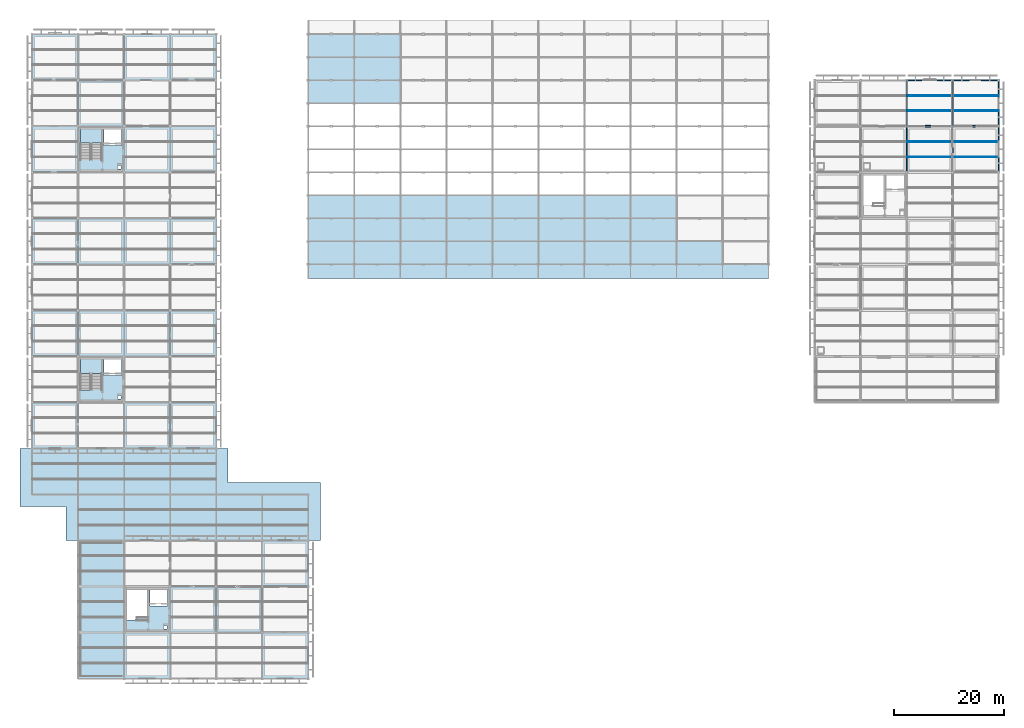
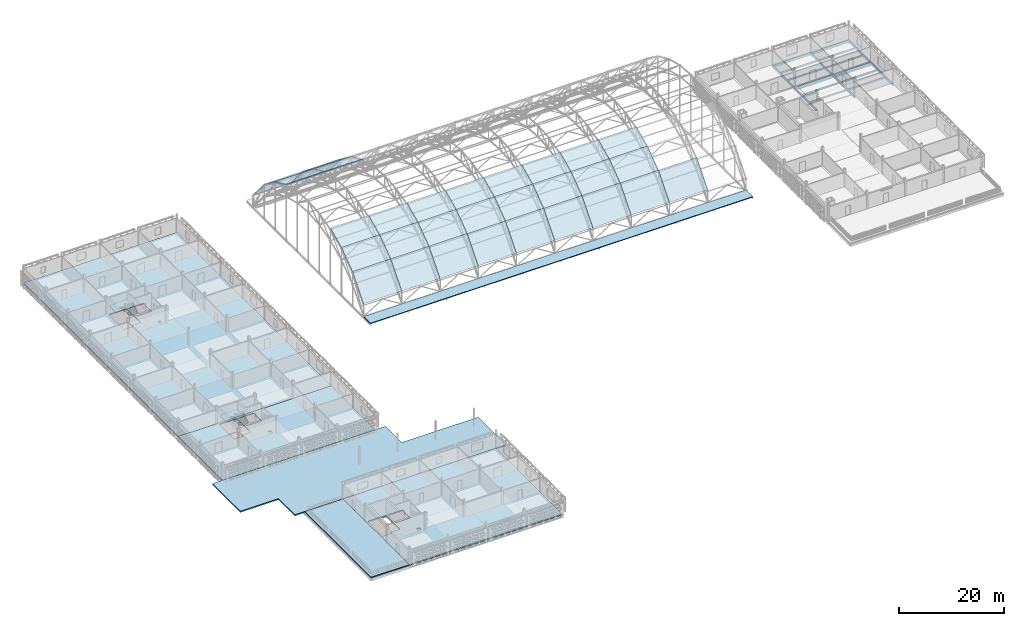
# One storey, part 64 of 103: 39 slabs, 18 beams, 2 elements without a shape of their own.
"""IFC4 building model written with IfcOpenShell, lengths in metres."""

from ifc_helpers import new_model, si_unit, direction, frame, origin, origin_2d, place, context, subcontext, project, spatial, polyline, rectangle, outline, extrude, material, layer, layer_set, material_profile, profile_set, type_object, element, aggregate, save


model = new_model("IFC4")

# Units and contexts
model_context = context("Model", 3, precision=1e-05, world=origin(), true_north=direction((0.0, 1.0)))
body_context = subcontext(model_context, "Body", "Model", "MODEL_VIEW")
ifc_project = project(units=[si_unit("LENGTHUNIT", "METRE"), si_unit("AREAUNIT", "SQUARE_METRE"), si_unit("VOLUMEUNIT", "CUBIC_METRE"), si_unit("PLANEANGLEUNIT", "RADIAN"), si_unit("MASSUNIT", "GRAM", prefix="KILO")], contexts=[model_context])

# Site, building, storey
site_placement = place(None, origin())
site = spatial("IfcSite", under=ifc_project, at=site_placement, CompositionType="ELEMENT")
building_placement = place(site_placement, origin())
building = spatial("IfcBuilding", under=site, at=building_placement, Name="Varnapada Polytechnic", CompositionType="ELEMENT")
storey_placement = place(building_placement, frame((0.0, 0.0, 18.0)))
storey = spatial("IfcBuildingStorey", under=building, at=storey_placement, Name="L04", CompositionType="ELEMENT", Elevation=18.0)

# Beams
ifc_material_1 = material(Name="Glulam GL32h", Category="wood")
ifc_material_profile_1 = material_profile(ifc_material_1, rectangle(XDim=0.340087890625, YDim=0.760009765625, at=origin_2d()), Name="GL 340x760")
ifc_profile_set_1 = profile_set([ifc_material_profile_1], Name="Glulam GL32h")
beam_type_1 = type_object("IfcBeamType", Name="Archive stack glulam girder GG-07 (GL 340x760)", PredefinedType="BEAM", material=ifc_profile_set_1)
for number, where, z_axis, x_axis, name in (
    (1, (159.60009765625, 109.199951171875, -0.60009765625), (1.0, 0.0, 0.0), (0.0, 1.0, 0.0), "L04 beam X 20-21 at Y14"),
    (2, (168.0, 109.199951171875, -0.60009765625), (1.0, 0.0, 0.0), (0.0, 1.0, 0.0), "L04 beam X 21-22 at Y14"),
):
    element("IfcBeam", number, at=place(storey_placement, frame(where, z_axis=z_axis, x_axis=x_axis)), inside=storey, type_object=beam_type_1, Name=name, PredefinedType="BEAM", context=body_context, shape_type="SweptSolid", body=[
        extrude(rectangle(XDim=0.340087890625, YDim=0.760009765625, at=origin_2d()), origin(), (0.0, 0.0, 1.0), 8.39990234375),
    ])
ifc_material_profile_2 = material_profile(ifc_material_1, rectangle(XDim=0.239990234375, YDim=0.56005859375, at=origin_2d()), Name="GL 240x560")
ifc_profile_set_2 = profile_set([ifc_material_profile_2], Name="Glulam GL32h")
beam_type_2 = type_object("IfcBeamType", Name="Perimeter glulam spandrel beam SP-02 (GL 240x560)", PredefinedType="SPANDREL", material=ifc_profile_set_2)
for number, where, z_axis, x_axis, name in (
    (3, (159.60009765625, 117.60009765625, -0.5), (1.0, 0.0, 0.0), (0.0, 1.0, 0.0), "L04 beam X 20-21 at Y15"),
    (4, (168.0, 117.60009765625, -0.5), (1.0, 0.0, 0.0), (0.0, 1.0, 0.0), "L04 beam X 21-22 at Y15"),
    (5, (176.39990234375, 100.800048828125, -0.5), (0.0, 1.0, 0.0), (-1.0, 0.0, 0.0), "L04 beam Y 13-14 at X22"),
):
    element("IfcBeam", number, at=place(storey_placement, frame(where, z_axis=z_axis, x_axis=x_axis)), inside=storey, type_object=beam_type_2, Name=name, PredefinedType="SPANDREL", context=body_context, shape_type="SweptSolid", body=[
        extrude(rectangle(XDim=0.239990234375, YDim=0.56005859375, at=origin_2d()), origin(), (0.0, 0.0, 1.0), 8.39990234375),
    ])
beam_1_placement = place(storey_placement, frame((176.39990234375, 109.199951171875, -0.5), z_axis=(0.0, 1.0, 0.0), x_axis=(-1.0, 0.0, 0.0)))
element("IfcBeam", 6, at=beam_1_placement, inside=storey, type_object=beam_type_2, Name="L04 beam Y 14-15 at X22", PredefinedType="SPANDREL", context=body_context, shape_type="SweptSolid", body=[
    extrude(rectangle(XDim=0.239990234375, YDim=0.56005859375, at=origin_2d()), origin(), (0.0, 0.0, 1.0), 8.400146484375),
])
ifc_material_profile_3 = material_profile(ifc_material_1, rectangle(XDim=0.179931640625, YDim=0.360107421875, at=origin_2d()), Name="GL 180x360")
ifc_profile_set_3 = profile_set([ifc_material_profile_3], Name="Glulam GL32h")
beam_type_3 = type_object("IfcBeamType", Name="Studio/seminar glulam floor joist GJ-02 (GL 180x360)", PredefinedType="JOIST", material=ifc_profile_set_3)
for number, where, z_axis, x_axis, name in (
    (7, (159.679931640625, 103.60009765625, -0.39990234375), (1.0, 0.0, 0.0), (0.0, 1.0, 0.0), "L04 floor joist 20/13.1"),
    (8, (159.679931640625, 106.39990234375, -0.39990234375), (1.0, 0.0, 0.0), (0.0, 1.0, 0.0), "L04 floor joist 20/13.2"),
    (9, (159.679931640625, 112.0, -0.39990234375), (1.0, 0.0, 0.0), (0.0, 1.0, 0.0), "L04 floor joist 20/14.1"),
    (10, (159.679931640625, 114.800048828125, -0.39990234375), (1.0, 0.0, 0.0), (0.0, 1.0, 0.0), "L04 floor joist 20/14.2"),
    (11, (168.080078125, 103.60009765625, -0.39990234375), (1.0, 0.0, 0.0), (0.0, 1.0, 0.0), "L04 floor joist 21/13.1"),
    (12, (168.080078125, 106.39990234375, -0.39990234375), (1.0, 0.0, 0.0), (0.0, 1.0, 0.0), "L04 floor joist 21/13.2"),
    (13, (168.080078125, 112.0, -0.39990234375), (1.0, 0.0, 0.0), (0.0, 1.0, 0.0), "L04 floor joist 21/14.1"),
    (14, (168.080078125, 114.800048828125, -0.39990234375), (1.0, 0.0, 0.0), (0.0, 1.0, 0.0), "L04 floor joist 21/14.2"),
):
    element("IfcBeam", number, at=place(storey_placement, frame(where, z_axis=z_axis, x_axis=x_axis)), inside=storey, type_object=beam_type_3, Name=name, PredefinedType="JOIST", context=body_context, shape_type="SweptSolid", body=[
        extrude(rectangle(XDim=0.179931640625, YDim=0.360107421875, at=origin_2d()), origin(), (0.0, 0.0, 1.0), 8.239990234375),
    ])
ifc_material_profile_4 = material_profile(ifc_material_1, rectangle(XDim=0.219970703125, YDim=0.47998046875, at=origin_2d()), Name="GL 220x480")
ifc_profile_set_4 = profile_set([ifc_material_profile_4], Name="Glulam GL32h")
beam_type_4 = type_object("IfcBeamType", Name="Upper floor glulam tie beam GB-11 (GL 220x480)", PredefinedType="BEAM", material=ifc_profile_set_4)
beam_2_placement = place(storey_placement, frame((159.60009765625, 100.800048828125, -0.4599609375), z_axis=(0.0, 1.0, 0.0), x_axis=(-1.0, 0.0, 0.0)))
element("IfcBeam", 15, at=beam_2_placement, inside=storey, type_object=beam_type_4, Name="L04 beam Y 13-14 at X20", PredefinedType="BEAM", context=body_context, shape_type="SweptSolid", body=[
    extrude(rectangle(XDim=0.219970703125, YDim=0.47998046875, at=origin_2d()), origin(), (0.0, 0.0, 1.0), 8.39990234375),
])
beam_3_placement = place(storey_placement, frame((159.60009765625, 109.199951171875, -0.4599609375), z_axis=(0.0, 1.0, 0.0), x_axis=(-1.0, 0.0, 0.0)))
element("IfcBeam", 16, at=beam_3_placement, inside=storey, type_object=beam_type_4, Name="L04 beam Y 14-15 at X20", PredefinedType="BEAM", context=body_context, shape_type="SweptSolid", body=[
    extrude(rectangle(XDim=0.219970703125, YDim=0.47998046875, at=origin_2d()), origin(), (0.0, 0.0, 1.0), 8.400146484375),
])
beam_4_placement = place(storey_placement, frame((168.0, 100.800048828125, -0.4599609375), z_axis=(0.0, 1.0, 0.0), x_axis=(-1.0, 0.0, 0.0)))
element("IfcBeam", 17, at=beam_4_placement, inside=storey, type_object=beam_type_4, Name="L04 beam Y 13-14 at X21", PredefinedType="BEAM", context=body_context, shape_type="SweptSolid", body=[
    extrude(rectangle(XDim=0.219970703125, YDim=0.47998046875, at=origin_2d()), origin(), (0.0, 0.0, 1.0), 8.39990234375),
])
beam_5_placement = place(storey_placement, frame((168.0, 109.199951171875, -0.4599609375), z_axis=(0.0, 1.0, 0.0), x_axis=(-1.0, 0.0, 0.0)))
element("IfcBeam", 18, at=beam_5_placement, inside=storey, type_object=beam_type_4, Name="L04 beam Y 14-15 at X21", PredefinedType="BEAM", context=body_context, shape_type="SweptSolid", body=[
    extrude(rectangle(XDim=0.219970703125, YDim=0.47998046875, at=origin_2d()), origin(), (0.0, 0.0, 1.0), 8.400146484375),
])

# Slabs
ifc_material_2 = material(Name="Cross-laminated timber CLT C24", Category="wood")
ifc_layer_1 = layer(ifc_material_2, 0.27001953125)
ifc_layer_set_1 = layer_set([ifc_layer_1], Name="Cross-laminated timber CLT C24")
slab_type_1 = type_object("IfcSlabType", Name="L03/L04 7.18 kPa library stack CLT slab SL-07", PredefinedType="FLOOR", material=ifc_layer_set_1)
slab_1_placement = place(storey_placement, frame((0.0, 0.0, -0.27001953125)))
element("IfcSlab", 19, at=slab_1_placement, inside=storey, type_object=slab_type_1, Name="L04 V2 slab 1.1", PredefinedType="FLOOR", context=body_context, shape_type="SweptSolid", body=[
    extrude(outline(polyline([(16.800048828125, 25.199951171875), (16.800048828125, 33.60009765625), (25.199951171875, 33.60009765625), (33.60009765625, 33.60009765625), (42.0, 33.60009765625), (50.39990234375, 33.60009765625), (50.39990234375, 25.199951171875), (50.39990234375, 16.800048828125), (50.39990234375, 8.39990234375), (42.0, 8.39990234375), (33.60009765625, 8.39990234375), (25.199951171875, 8.39990234375), (16.800048828125, 8.39990234375), (16.800048828125, 16.800048828125), (16.800048828125, 25.199951171875)]), holes=[polyline([(17.199951171875, 19.110107421875), (19.14990234375, 19.110107421875), (19.14990234375, 19.510009765625), (21.10009765625, 19.510009765625), (21.10009765625, 24.800048828125), (17.199951171875, 24.800048828125), (17.199951171875, 19.110107421875)]), polyline([(21.5, 21.699951171875), (24.699951171875, 21.699951171875), (24.699951171875, 24.75), (21.5, 24.75), (21.5, 21.699951171875)]), polyline([(23.949951171875, 17.419921875), (24.60009765625, 17.419921875), (24.60009765625, 18.070068359375), (23.949951171875, 18.070068359375), (23.949951171875, 17.419921875)])]), origin(), (0.0, 0.0, 1.0), 0.27001953125),
])
ifc_layer_2 = layer(ifc_material_2, 0.219970703125)
ifc_layer_set_2 = layer_set([ifc_layer_2], Name="Cross-laminated timber CLT C24")
slab_type_2 = type_object("IfcSlabType", Name="L04..L06 design studio CLT slab SL-08", PredefinedType="FLOOR", material=ifc_layer_set_2)
slab_2_placement = place(storey_placement, frame((0.0, 0.0, -0.219970703125)))
element("IfcSlab", 20, at=slab_2_placement, inside=storey, type_object=slab_type_2, Name="L04 V4 slab 1.1", PredefinedType="FLOOR", context=body_context, shape_type="SweptSolid", body=[
    extrude(outline(polyline([(33.60009765625, 50.39990234375), (25.199951171875, 50.39990234375), (16.800048828125, 50.39990234375), (8.39990234375, 50.39990234375), (0.0, 50.39990234375), (0.0, 58.800048828125), (0.0, 67.199951171875), (8.39990234375, 67.199951171875), (16.800048828125, 67.199951171875), (25.199951171875, 67.199951171875), (33.60009765625, 67.199951171875), (33.60009765625, 58.800048828125), (33.60009765625, 50.39990234375)]), holes=[polyline([(8.800048828125, 61.110107421875), (10.75, 61.110107421875), (10.75, 61.510009765625), (12.699951171875, 61.510009765625), (12.699951171875, 66.800048828125), (8.800048828125, 66.800048828125), (8.800048828125, 61.110107421875)]), polyline([(13.10009765625, 63.699951171875), (16.300048828125, 63.699951171875), (16.300048828125, 66.75), (13.10009765625, 66.75), (13.10009765625, 63.699951171875)]), polyline([(15.550048828125, 59.419921875), (16.199951171875, 59.419921875), (16.199951171875, 60.070068359375), (15.550048828125, 60.070068359375), (15.550048828125, 59.419921875)])]), origin(), (0.0, 0.0, 1.0), 0.219970703125),
])
slab_3_placement = place(storey_placement, frame((0.0, 0.0, -0.219970703125)))
element("IfcSlab", 21, at=slab_3_placement, inside=storey, type_object=slab_type_2, Name="L04 V4 slab 2.1", PredefinedType="FLOOR", context=body_context, shape_type="SweptSolid", body=[
    extrude(outline(polyline([(0.0, 92.39990234375), (0.0, 100.800048828125), (0.0, 109.199951171875), (0.0, 117.60009765625), (0.0, 126.0), (8.39990234375, 126.0), (16.800048828125, 126.0), (25.199951171875, 126.0), (33.60009765625, 126.0), (33.60009765625, 117.60009765625), (33.60009765625, 109.199951171875), (33.60009765625, 100.800048828125), (33.60009765625, 92.39990234375), (33.60009765625, 84.0), (33.60009765625, 75.60009765625), (33.60009765625, 67.199951171875), (25.199951171875, 67.199951171875), (16.800048828125, 67.199951171875), (8.39990234375, 67.199951171875), (0.0, 67.199951171875), (0.0, 75.60009765625), (0.0, 84.0), (0.0, 92.39990234375)]), holes=[polyline([(8.800048828125, 103.110107421875), (10.75, 103.110107421875), (10.75, 103.510009765625), (12.699951171875, 103.510009765625), (12.699951171875, 108.800048828125), (8.800048828125, 108.800048828125), (8.800048828125, 103.110107421875)]), polyline([(13.10009765625, 105.699951171875), (16.300048828125, 105.699951171875), (16.300048828125, 108.75), (13.10009765625, 108.75), (13.10009765625, 105.699951171875)]), polyline([(15.550048828125, 101.419921875), (16.199951171875, 101.419921875), (16.199951171875, 102.070068359375), (15.550048828125, 102.070068359375), (15.550048828125, 101.419921875)])]), origin(), (0.0, 0.0, 1.0), 0.219970703125),
])
ifc_layer_3 = layer(ifc_material_2, 0.22998046875)
ifc_layer_set_3 = layer_set([ifc_layer_3], Name="Cross-laminated timber CLT C24")
slab_type_3 = type_object("IfcSlabType", Name="L04..L06 occupied studio roof terrace slab SL-10", PredefinedType="FLOOR", material=ifc_layer_set_3)
slab_4_placement = place(storey_placement, frame((0.0, 0.0, -0.22998046875)))
element("IfcSlab", 22, at=slab_4_placement, inside=storey, type_object=slab_type_3, Name="L04 V2_TERRACE slab 1.1", PredefinedType="FLOOR", context=body_context, shape_type="SweptSolid", body=[
    extrude(outline(polyline([(16.800048828125, 8.39990234375), (8.39990234375, 8.39990234375), (8.39990234375, 16.800048828125), (8.39990234375, 25.199951171875), (8.39990234375, 33.60009765625), (16.800048828125, 33.60009765625), (16.800048828125, 25.199951171875), (16.800048828125, 16.800048828125), (16.800048828125, 8.39990234375)])), origin(), (0.0, 0.0, 1.0), 0.22998046875),
])
ifc_material_3 = material(Name="Concrete C40/50", Category="concrete")
ifc_layer_4 = layer(ifc_material_3, 0.27001953125)
ifc_layer_set_4 = layer_set([ifc_layer_4], Name="Concrete C40/50")
slab_type_4 = type_object("IfcSlabType", Name="Overhanging tropical eave roof slab RS-07", PredefinedType="ROOF", material=ifc_layer_set_4)
slab_5_placement = place(storey_placement, frame((0.0, 0.0, -0.27001953125)))
element("IfcSlab", 23, at=slab_5_placement, inside=storey, type_object=slab_type_4, Name="L04 overhanging eave roof slab 1", PredefinedType="ROOF", context=body_context, shape_type="SweptSolid", body=[
    extrude(outline(polyline([(52.60009765625, 44.199951171875), (52.60009765625, 33.60009765625), (50.419921875, 33.60009765625), (50.39990234375, 33.6201171875), (8.39990234375, 33.6201171875), (8.3798828125, 33.60009765625), (6.199951171875, 33.60009765625), (6.199951171875, 39.800048828125), (-2.199951171875, 39.800048828125), (-2.199951171875, 50.39990234375), (-0.02001953125, 50.39990234375), (0.0, 50.3798828125), (33.60009765625, 50.3798828125), (33.6201171875, 50.39990234375), (35.800048828125, 50.39990234375), (35.800048828125, 44.199951171875), (52.60009765625, 44.199951171875)])), origin(), (0.0, 0.0, 1.0), 0.27001953125),
])

# Stair, slab
stair_type = type_object("IfcStairType", Name="Core Exit Stair ST-A", PredefinedType="HALF_TURN_STAIR", material=ifc_material_3)
stair_1_placement = place(storey_placement, origin())
stair_1 = element("IfcStair", 24, at=stair_1_placement, inside=storey, type_object=stair_type, Name="L04 Core C1 Exit Stair", PredefinedType="HALF_TURN_STAIR")
ifc_layer_5 = layer(ifc_material_3, 0.199951171875)
ifc_layer_set_5 = layer_set([ifc_layer_5], Name="Concrete C40/50")
slab_type_5 = type_object("IfcSlabType", Name="Stair Half Landing SLD-01", PredefinedType="LANDING", material=ifc_layer_set_5)
slab_6_placement = place(storey_placement, frame((0.0, 0.0, 1.89990234375)))
slab_6 = element("IfcSlab", 25, at=slab_6_placement, type_object=slab_type_5, Name="ST-1 landing 1", PredefinedType="LANDING", context=body_context, shape_type="SweptSolid", body=[
    extrude(outline(polyline([(12.699951171875, 106.1298828125), (12.699951171875, 108.800048828125), (8.800048828125, 108.800048828125), (8.800048828125, 106.1298828125), (12.699951171875, 106.1298828125)])), origin(), (0.0, 0.0, 1.0), 0.2001953125),
])
aggregate(stair_1, [slab_6])

stair_2_placement = place(storey_placement, origin())
stair_2 = element("IfcStair", 26, at=stair_2_placement, inside=storey, type_object=stair_type, Name="L04 Core C2 Exit Stair", PredefinedType="HALF_TURN_STAIR")
slab_7_placement = place(storey_placement, frame((0.0, 0.0, 1.89990234375)))
slab_7 = element("IfcSlab", 27, at=slab_7_placement, type_object=slab_type_5, Name="ST-2 landing 1", PredefinedType="LANDING", context=body_context, shape_type="SweptSolid", body=[
    extrude(outline(polyline([(12.699951171875, 64.1298828125), (12.699951171875, 66.800048828125), (8.800048828125, 66.800048828125), (8.800048828125, 64.1298828125), (12.699951171875, 64.1298828125)])), origin(), (0.0, 0.0, 1.0), 0.2001953125),
])
aggregate(stair_2, [slab_7])

# Slabs
ifc_material_4 = material(Name="Steel S355", Category="steel")
ifc_layer_6 = layer(ifc_material_4, 0.179931640625)
ifc_layer_set_6 = layer_set([ifc_layer_6], Name="Steel S355")
slab_type_6 = type_object("IfcSlabType", Name="Vaulted space frame insulated standing-seam roof deck RS-01", PredefinedType="ROOF", material=ifc_layer_set_6)
slab_8_placement = place(storey_placement, frame((50.39990234375, 84.0, 2.945068359375), z_axis=(0.0, -0.762446718465, 0.647051003787), x_axis=(1.0, 0.0, 0.0)))
element("IfcSlab", 28, at=slab_8_placement, inside=storey, type_object=slab_type_6, Name="Workshop barrel vault roof slab 1.1", PredefinedType="ROOF", context=body_context, shape_type="SweptSolid", body=[
    extrude(outline(polyline([(0.0, 0.0), (8.400146484375, 0.0), (8.400146484375, 6.490912072303292), (0.0, 6.490912072303292), (0.0, 0.0)])), origin(), (0.0, 0.0, -1.0), 0.179931640625),
])
slab_9_placement = place(storey_placement, frame((50.39990234375, 88.199951171875, 7.89404296875), z_axis=(0.0, -0.591225448698, 0.806506335259), x_axis=(1.0, 0.0, 0.0)))
element("IfcSlab", 29, at=slab_9_placement, inside=storey, type_object=slab_type_6, Name="Workshop barrel vault roof slab 1.2", PredefinedType="ROOF", context=body_context, shape_type="SweptSolid", body=[
    extrude(outline(polyline([(0.0, 0.0), (8.400146484375, 0.0), (8.400146484375, 5.207586088618119), (0.0, 5.207586088618119), (0.0, 0.0)])), origin(), (0.0, 0.0, -1.0), 0.179931640625),
])
for number, where, z_axis, x_axis, name in (
    (30, (50.39990234375, 92.39990234375, 10.972900390625), (0.0, -0.421823449802, 0.906677989805), (1.0, 0.0, 0.0), "Workshop barrel vault roof slab 1.3"),
    (31, (50.39990234375, 113.39990234375, 12.927001953125), (0.0, 0.421823449802, 0.906677989805), (1.0, 0.0, 0.0), "Workshop barrel vault roof slab 1.8"),
):
    element("IfcSlab", number, at=place(storey_placement, frame(where, z_axis=z_axis, x_axis=x_axis)), inside=storey, type_object=slab_type_6, Name=name, PredefinedType="ROOF", context=body_context, shape_type="SweptSolid", body=[
        extrude(outline(polyline([(0.0, 0.0), (8.400146484375, 0.0), (8.400146484375, 4.6325105050838165), (0.0, 4.6325105050838165), (0.0, 0.0)])), origin(), (0.0, 0.0, -1.0), 0.179931640625),
    ])
slab_10_placement = place(storey_placement, frame((50.39990234375, 117.60009765625, 10.972900390625), z_axis=(0.0, 0.591225448698, 0.806506335259), x_axis=(1.0, 0.0, 0.0)))
element("IfcSlab", 32, at=slab_10_placement, inside=storey, type_object=slab_type_6, Name="Workshop barrel vault roof slab 1.9", PredefinedType="ROOF", context=body_context, shape_type="SweptSolid", body=[
    extrude(outline(polyline([(0.0, 0.0), (8.400146484375, 0.0), (8.400146484375, 5.207586088618119), (0.0, 5.207586088618119), (0.0, 0.0)])), origin(), (0.0, 0.0, -1.0), 0.179931640625),
])
slab_11_placement = place(storey_placement, frame((50.39990234375, 121.800048828125, 7.89404296875), z_axis=(0.0, 0.762446718465, 0.647051003787), x_axis=(1.0, 0.0, 0.0)))
element("IfcSlab", 33, at=slab_11_placement, inside=storey, type_object=slab_type_6, Name="Workshop barrel vault roof slab 1.10", PredefinedType="ROOF", context=body_context, shape_type="SweptSolid", body=[
    extrude(outline(polyline([(0.0, 0.0), (8.400146484375, 0.0), (8.400146484375, 6.490912072303292), (0.0, 6.490912072303292), (0.0, 0.0)])), origin(), (0.0, 0.0, -1.0), 0.179931640625),
])
slab_12_placement = place(storey_placement, frame((58.800048828125, 84.0, 2.945068359375), z_axis=(0.0, -0.762446718465, 0.647051003787), x_axis=(1.0, 0.0, 0.0)))
element("IfcSlab", 34, at=slab_12_placement, inside=storey, type_object=slab_type_6, Name="Workshop barrel vault roof slab 2.1", PredefinedType="ROOF", context=body_context, shape_type="SweptSolid", body=[
    extrude(outline(polyline([(0.0, 0.0), (8.39990234375, 0.0), (8.39990234375, 6.490912072303292), (0.0, 6.490912072303292), (0.0, 0.0)])), origin(), (0.0, 0.0, -1.0), 0.179931640625),
])
slab_13_placement = place(storey_placement, frame((58.800048828125, 88.199951171875, 7.89404296875), z_axis=(0.0, -0.591225448698, 0.806506335259), x_axis=(1.0, 0.0, 0.0)))
element("IfcSlab", 35, at=slab_13_placement, inside=storey, type_object=slab_type_6, Name="Workshop barrel vault roof slab 2.2", PredefinedType="ROOF", context=body_context, shape_type="SweptSolid", body=[
    extrude(outline(polyline([(0.0, 0.0), (8.39990234375, 0.0), (8.39990234375, 5.207586088618119), (0.0, 5.207586088618119), (0.0, 0.0)])), origin(), (0.0, 0.0, -1.0), 0.179931640625),
])
for number, where, z_axis, x_axis, name in (
    (36, (58.800048828125, 92.39990234375, 10.972900390625), (0.0, -0.421823449802, 0.906677989805), (1.0, 0.0, 0.0), "Workshop barrel vault roof slab 2.3"),
    (37, (58.800048828125, 113.39990234375, 12.927001953125), (0.0, 0.421823449802, 0.906677989805), (1.0, 0.0, 0.0), "Workshop barrel vault roof slab 2.8"),
):
    element("IfcSlab", number, at=place(storey_placement, frame(where, z_axis=z_axis, x_axis=x_axis)), inside=storey, type_object=slab_type_6, Name=name, PredefinedType="ROOF", context=body_context, shape_type="SweptSolid", body=[
        extrude(outline(polyline([(0.0, 0.0), (8.39990234375, 0.0), (8.39990234375, 4.6325105050838165), (0.0, 4.6325105050838165), (0.0, 0.0)])), origin(), (0.0, 0.0, -1.0), 0.179931640625),
    ])
slab_14_placement = place(storey_placement, frame((58.800048828125, 117.60009765625, 10.972900390625), z_axis=(0.0, 0.591225448698, 0.806506335259), x_axis=(1.0, 0.0, 0.0)))
element("IfcSlab", 38, at=slab_14_placement, inside=storey, type_object=slab_type_6, Name="Workshop barrel vault roof slab 2.9", PredefinedType="ROOF", context=body_context, shape_type="SweptSolid", body=[
    extrude(outline(polyline([(0.0, 0.0), (8.39990234375, 0.0), (8.39990234375, 5.207586088618119), (0.0, 5.207586088618119), (0.0, 0.0)])), origin(), (0.0, 0.0, -1.0), 0.179931640625),
])
slab_15_placement = place(storey_placement, frame((58.800048828125, 121.800048828125, 7.89404296875), z_axis=(0.0, 0.762446718465, 0.647051003787), x_axis=(1.0, 0.0, 0.0)))
element("IfcSlab", 39, at=slab_15_placement, inside=storey, type_object=slab_type_6, Name="Workshop barrel vault roof slab 2.10", PredefinedType="ROOF", context=body_context, shape_type="SweptSolid", body=[
    extrude(outline(polyline([(0.0, 0.0), (8.39990234375, 0.0), (8.39990234375, 6.490912072303292), (0.0, 6.490912072303292), (0.0, 0.0)])), origin(), (0.0, 0.0, -1.0), 0.179931640625),
])
slab_16_placement = place(storey_placement, frame((67.199951171875, 84.0, 2.945068359375), z_axis=(0.0, -0.762446718465, 0.647051003787), x_axis=(1.0, 0.0, 0.0)))
element("IfcSlab", 40, at=slab_16_placement, inside=storey, type_object=slab_type_6, Name="Workshop barrel vault roof slab 3.1", PredefinedType="ROOF", context=body_context, shape_type="SweptSolid", body=[
    extrude(outline(polyline([(0.0, 0.0), (8.400146484375, 0.0), (8.400146484375, 6.490912072303292), (0.0, 6.490912072303292), (0.0, 0.0)])), origin(), (0.0, 0.0, -1.0), 0.179931640625),
])
slab_17_placement = place(storey_placement, frame((67.199951171875, 88.199951171875, 7.89404296875), z_axis=(0.0, -0.591225448698, 0.806506335259), x_axis=(1.0, 0.0, 0.0)))
element("IfcSlab", 41, at=slab_17_placement, inside=storey, type_object=slab_type_6, Name="Workshop barrel vault roof slab 3.2", PredefinedType="ROOF", context=body_context, shape_type="SweptSolid", body=[
    extrude(outline(polyline([(0.0, 0.0), (8.400146484375, 0.0), (8.400146484375, 5.207586088618119), (0.0, 5.207586088618119), (0.0, 0.0)])), origin(), (0.0, 0.0, -1.0), 0.179931640625),
])
slab_18_placement = place(storey_placement, frame((67.199951171875, 92.39990234375, 10.972900390625), z_axis=(0.0, -0.421823449802, 0.906677989805), x_axis=(1.0, 0.0, 0.0)))
element("IfcSlab", 42, at=slab_18_placement, inside=storey, type_object=slab_type_6, Name="Workshop barrel vault roof slab 3.3", PredefinedType="ROOF", context=body_context, shape_type="SweptSolid", body=[
    extrude(outline(polyline([(0.0, 0.0), (8.400146484375, 0.0), (8.400146484375, 4.6325105050838165), (0.0, 4.6325105050838165), (0.0, 0.0)])), origin(), (0.0, 0.0, -1.0), 0.179931640625),
])
slab_19_placement = place(storey_placement, frame((75.60009765625, 84.0, 2.945068359375), z_axis=(0.0, -0.762446718465, 0.647051003787), x_axis=(1.0, 0.0, 0.0)))
element("IfcSlab", 43, at=slab_19_placement, inside=storey, type_object=slab_type_6, Name="Workshop barrel vault roof slab 4.1", PredefinedType="ROOF", context=body_context, shape_type="SweptSolid", body=[
    extrude(outline(polyline([(0.0, 0.0), (8.39990234375, 0.0), (8.39990234375, 6.490912072303292), (0.0, 6.490912072303292), (0.0, 0.0)])), origin(), (0.0, 0.0, -1.0), 0.179931640625),
])
slab_20_placement = place(storey_placement, frame((75.60009765625, 88.199951171875, 7.89404296875), z_axis=(0.0, -0.591225448698, 0.806506335259), x_axis=(1.0, 0.0, 0.0)))
element("IfcSlab", 44, at=slab_20_placement, inside=storey, type_object=slab_type_6, Name="Workshop barrel vault roof slab 4.2", PredefinedType="ROOF", context=body_context, shape_type="SweptSolid", body=[
    extrude(outline(polyline([(0.0, 0.0), (8.39990234375, 0.0), (8.39990234375, 5.207586088618119), (0.0, 5.207586088618119), (0.0, 0.0)])), origin(), (0.0, 0.0, -1.0), 0.179931640625),
])
slab_21_placement = place(storey_placement, frame((75.60009765625, 92.39990234375, 10.972900390625), z_axis=(0.0, -0.421823449802, 0.906677989805), x_axis=(1.0, 0.0, 0.0)))
element("IfcSlab", 45, at=slab_21_placement, inside=storey, type_object=slab_type_6, Name="Workshop barrel vault roof slab 4.3", PredefinedType="ROOF", context=body_context, shape_type="SweptSolid", body=[
    extrude(outline(polyline([(0.0, 0.0), (8.39990234375, 0.0), (8.39990234375, 4.6325105050838165), (0.0, 4.6325105050838165), (0.0, 0.0)])), origin(), (0.0, 0.0, -1.0), 0.179931640625),
])
slab_22_placement = place(storey_placement, frame((84.0, 84.0, 2.945068359375), z_axis=(0.0, -0.762446718465, 0.647051003787), x_axis=(1.0, 0.0, 0.0)))
element("IfcSlab", 46, at=slab_22_placement, inside=storey, type_object=slab_type_6, Name="Workshop barrel vault roof slab 5.1", PredefinedType="ROOF", context=body_context, shape_type="SweptSolid", body=[
    extrude(outline(polyline([(0.0, 0.0), (8.39990234375, 0.0), (8.39990234375, 6.490912072303292), (0.0, 6.490912072303292), (0.0, 0.0)])), origin(), (0.0, 0.0, -1.0), 0.179931640625),
])
slab_23_placement = place(storey_placement, frame((84.0, 88.199951171875, 7.89404296875), z_axis=(0.0, -0.591225448698, 0.806506335259), x_axis=(1.0, 0.0, 0.0)))
element("IfcSlab", 47, at=slab_23_placement, inside=storey, type_object=slab_type_6, Name="Workshop barrel vault roof slab 5.2", PredefinedType="ROOF", context=body_context, shape_type="SweptSolid", body=[
    extrude(outline(polyline([(0.0, 0.0), (8.39990234375, 0.0), (8.39990234375, 5.207586088618119), (0.0, 5.207586088618119), (0.0, 0.0)])), origin(), (0.0, 0.0, -1.0), 0.179931640625),
])
slab_24_placement = place(storey_placement, frame((84.0, 92.39990234375, 10.972900390625), z_axis=(0.0, -0.421823449802, 0.906677989805), x_axis=(1.0, 0.0, 0.0)))
element("IfcSlab", 48, at=slab_24_placement, inside=storey, type_object=slab_type_6, Name="Workshop barrel vault roof slab 5.3", PredefinedType="ROOF", context=body_context, shape_type="SweptSolid", body=[
    extrude(outline(polyline([(0.0, 0.0), (8.39990234375, 0.0), (8.39990234375, 4.6325105050838165), (0.0, 4.6325105050838165), (0.0, 0.0)])), origin(), (0.0, 0.0, -1.0), 0.179931640625),
])
slab_25_placement = place(storey_placement, frame((92.39990234375, 84.0, 2.945068359375), z_axis=(0.0, -0.762446718465, 0.647051003787), x_axis=(1.0, 0.0, 0.0)))
element("IfcSlab", 49, at=slab_25_placement, inside=storey, type_object=slab_type_6, Name="Workshop barrel vault roof slab 6.1", PredefinedType="ROOF", context=body_context, shape_type="SweptSolid", body=[
    extrude(outline(polyline([(0.0, 0.0), (8.400146484375, 0.0), (8.400146484375, 6.490912072303292), (0.0, 6.490912072303292), (0.0, 0.0)])), origin(), (0.0, 0.0, -1.0), 0.179931640625),
])
slab_26_placement = place(storey_placement, frame((92.39990234375, 88.199951171875, 7.89404296875), z_axis=(0.0, -0.591225448698, 0.806506335259), x_axis=(1.0, 0.0, 0.0)))
element("IfcSlab", 50, at=slab_26_placement, inside=storey, type_object=slab_type_6, Name="Workshop barrel vault roof slab 6.2", PredefinedType="ROOF", context=body_context, shape_type="SweptSolid", body=[
    extrude(outline(polyline([(0.0, 0.0), (8.400146484375, 0.0), (8.400146484375, 5.207586088618119), (0.0, 5.207586088618119), (0.0, 0.0)])), origin(), (0.0, 0.0, -1.0), 0.179931640625),
])
slab_27_placement = place(storey_placement, frame((92.39990234375, 92.39990234375, 10.972900390625), z_axis=(0.0, -0.421823449802, 0.906677989805), x_axis=(1.0, 0.0, 0.0)))
element("IfcSlab", 51, at=slab_27_placement, inside=storey, type_object=slab_type_6, Name="Workshop barrel vault roof slab 6.3", PredefinedType="ROOF", context=body_context, shape_type="SweptSolid", body=[
    extrude(outline(polyline([(0.0, 0.0), (8.400146484375, 0.0), (8.400146484375, 4.6325105050838165), (0.0, 4.6325105050838165), (0.0, 0.0)])), origin(), (0.0, 0.0, -1.0), 0.179931640625),
])
slab_28_placement = place(storey_placement, frame((100.800048828125, 84.0, 2.945068359375), z_axis=(0.0, -0.762446718465, 0.647051003787), x_axis=(1.0, 0.0, 0.0)))
element("IfcSlab", 52, at=slab_28_placement, inside=storey, type_object=slab_type_6, Name="Workshop barrel vault roof slab 7.1", PredefinedType="ROOF", context=body_context, shape_type="SweptSolid", body=[
    extrude(outline(polyline([(0.0, 0.0), (8.39990234375, 0.0), (8.39990234375, 6.490912072303292), (0.0, 6.490912072303292), (0.0, 0.0)])), origin(), (0.0, 0.0, -1.0), 0.179931640625),
])
slab_29_placement = place(storey_placement, frame((100.800048828125, 88.199951171875, 7.89404296875), z_axis=(0.0, -0.591225448698, 0.806506335259), x_axis=(1.0, 0.0, 0.0)))
element("IfcSlab", 53, at=slab_29_placement, inside=storey, type_object=slab_type_6, Name="Workshop barrel vault roof slab 7.2", PredefinedType="ROOF", context=body_context, shape_type="SweptSolid", body=[
    extrude(outline(polyline([(0.0, 0.0), (8.39990234375, 0.0), (8.39990234375, 5.207586088618119), (0.0, 5.207586088618119), (0.0, 0.0)])), origin(), (0.0, 0.0, -1.0), 0.179931640625),
])
slab_30_placement = place(storey_placement, frame((100.800048828125, 92.39990234375, 10.972900390625), z_axis=(0.0, -0.421823449802, 0.906677989805), x_axis=(1.0, 0.0, 0.0)))
element("IfcSlab", 54, at=slab_30_placement, inside=storey, type_object=slab_type_6, Name="Workshop barrel vault roof slab 7.3", PredefinedType="ROOF", context=body_context, shape_type="SweptSolid", body=[
    extrude(outline(polyline([(0.0, 0.0), (8.39990234375, 0.0), (8.39990234375, 4.6325105050838165), (0.0, 4.6325105050838165), (0.0, 0.0)])), origin(), (0.0, 0.0, -1.0), 0.179931640625),
])
slab_31_placement = place(storey_placement, frame((109.199951171875, 84.0, 2.945068359375), z_axis=(0.0, -0.762446718465, 0.647051003787), x_axis=(1.0, 0.0, 0.0)))
element("IfcSlab", 55, at=slab_31_placement, inside=storey, type_object=slab_type_6, Name="Workshop barrel vault roof slab 8.1", PredefinedType="ROOF", context=body_context, shape_type="SweptSolid", body=[
    extrude(outline(polyline([(0.0, 0.0), (8.400146484375, 0.0), (8.400146484375, 6.490912072303292), (0.0, 6.490912072303292), (0.0, 0.0)])), origin(), (0.0, 0.0, -1.0), 0.179931640625),
])
slab_32_placement = place(storey_placement, frame((109.199951171875, 88.199951171875, 7.89404296875), z_axis=(0.0, -0.591225448698, 0.806506335259), x_axis=(1.0, 0.0, 0.0)))
element("IfcSlab", 56, at=slab_32_placement, inside=storey, type_object=slab_type_6, Name="Workshop barrel vault roof slab 8.2", PredefinedType="ROOF", context=body_context, shape_type="SweptSolid", body=[
    extrude(outline(polyline([(0.0, 0.0), (8.400146484375, 0.0), (8.400146484375, 5.207586088618119), (0.0, 5.207586088618119), (0.0, 0.0)])), origin(), (0.0, 0.0, -1.0), 0.179931640625),
])
slab_33_placement = place(storey_placement, frame((109.199951171875, 92.39990234375, 10.972900390625), z_axis=(0.0, -0.421823449802, 0.906677989805), x_axis=(1.0, 0.0, 0.0)))
element("IfcSlab", 57, at=slab_33_placement, inside=storey, type_object=slab_type_6, Name="Workshop barrel vault roof slab 8.3", PredefinedType="ROOF", context=body_context, shape_type="SweptSolid", body=[
    extrude(outline(polyline([(0.0, 0.0), (8.400146484375, 0.0), (8.400146484375, 4.6325105050838165), (0.0, 4.6325105050838165), (0.0, 0.0)])), origin(), (0.0, 0.0, -1.0), 0.179931640625),
])
slab_34_placement = place(storey_placement, frame((117.60009765625, 84.0, 2.945068359375), z_axis=(0.0, -0.762446718465, 0.647051003787), x_axis=(1.0, 0.0, 0.0)))
element("IfcSlab", 58, at=slab_34_placement, inside=storey, type_object=slab_type_6, Name="Workshop barrel vault roof slab 9.1", PredefinedType="ROOF", context=body_context, shape_type="SweptSolid", body=[
    extrude(outline(polyline([(0.0, 0.0), (8.39990234375, 0.0), (8.39990234375, 6.490912072303292), (0.0, 6.490912072303292), (0.0, 0.0)])), origin(), (0.0, 0.0, -1.0), 0.179931640625),
])
slab_35_placement = place(storey_placement, frame((0.0, 0.0, -0.179931640625)))
element("IfcSlab", 59, at=slab_35_placement, inside=storey, type_object=slab_type_6, Name="Workshop hall S deep shade eave canopy slab", PredefinedType="ROOF", context=body_context, shape_type="SweptSolid", body=[
    extrude(outline(polyline([(134.39990234375, 81.39990234375), (134.39990234375, 84.0), (50.39990234375, 84.0), (50.39990234375, 81.39990234375), (134.39990234375, 81.39990234375)])), origin(), (0.0, 0.0, 1.0), 0.179931640625),
])

save(model, "model.ifc")
